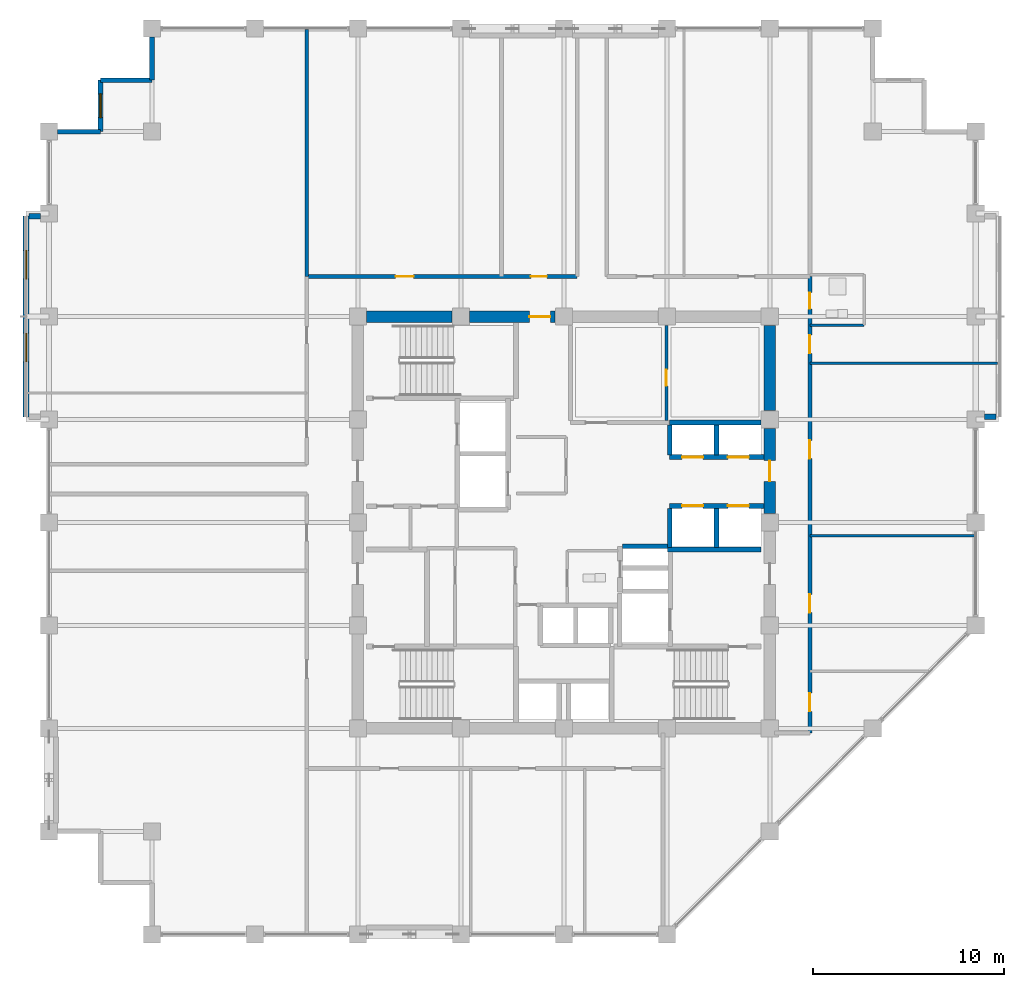
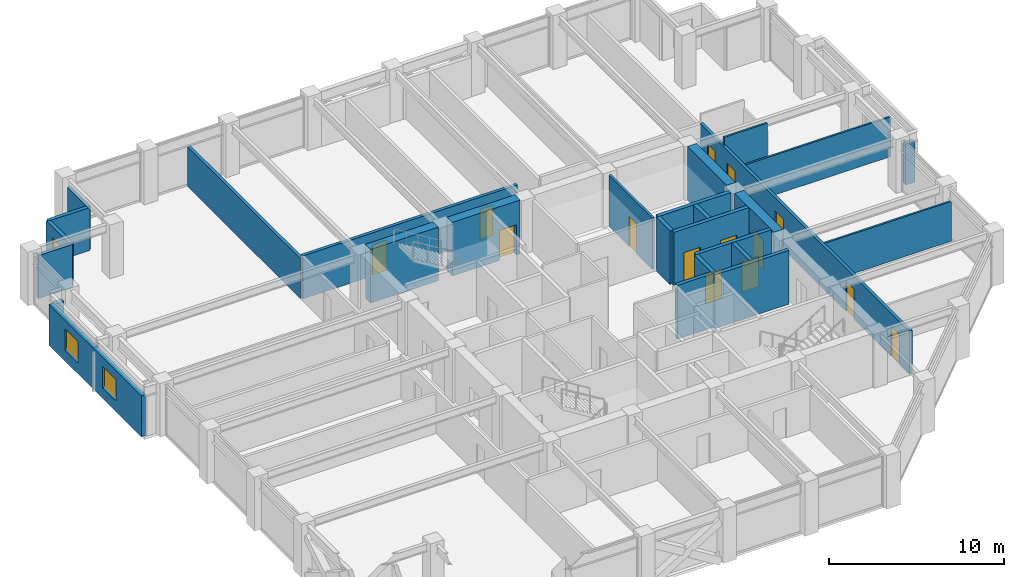
# One storey, part 28 of 32: 27 walls, 14 doors, 3 windows, 17 openings.
"""IFC4 building model written with IfcOpenShell, lengths in metres."""

from ifc_helpers import new_model, si_unit, direction, frame, frame_2d, origin, place, context, subcontext, project, spatial, rectangle, extrude, material, layer, layer_set, type_object, element, fill, save


model = new_model("IFC4")

# Units and contexts
model_context = context("Model", 3, precision=1e-05, world=origin(), true_north=direction((0.0, 1.0)))
body_context = subcontext(model_context, "Body", "Model", "MODEL_VIEW")
ifc_project = project(units=[si_unit("LENGTHUNIT", "METRE"), si_unit("AREAUNIT", "SQUARE_METRE"), si_unit("VOLUMEUNIT", "CUBIC_METRE"), si_unit("PLANEANGLEUNIT", "RADIAN"), si_unit("MASSUNIT", "GRAM", prefix="KILO")], contexts=[model_context])

# Site, building, storey
site_placement = place(None, origin())
site = spatial("IfcSite", under=ifc_project, at=site_placement, CompositionType="ELEMENT")
building_placement = place(site_placement, origin())
building = spatial("IfcBuilding", under=site, at=building_placement, Name="Surkhivell Harbour Commons", CompositionType="ELEMENT")
storey_placement = place(building_placement, frame((0.0, 0.0, 186.0)))
storey = spatial("IfcBuildingStorey", under=building, at=storey_placement, Name="L48", CompositionType="ELEMENT", Elevation=186.0)

# Wall
ifc_material_1 = material(Name="Concrete C60/75", Category="concrete")
ifc_layer_1 = layer(ifc_material_1, 0.60009765625)
ifc_layer_set_1 = layer_set([ifc_layer_1], Name="Concrete C60/75")
wall_type_1 = type_object("IfcWallType", Name="WAL-CORE-600", PredefinedType="SHEAR", material=ifc_layer_set_1)
wall_1_placement = place(storey_placement, frame((-10.340087890625, 10.800048828125, 0.0), z_axis=(0.0, 0.0, 1.0), x_axis=(1.0, 0.0, 0.0)))
element("IfcWall", 1, at=wall_1_placement, inside=storey, type_object=wall_type_1, Name="L48 Core Shear Wall North 1", PredefinedType="SHEAR", context=body_context, shape_type="SweptSolid", body=[
    extrude(rectangle(XDim=4.47998046875, YDim=0.60009765625, at=frame_2d((2.239990234375, 0.0))), origin(), (0.0, 0.0, 1.0), 3.75),
])

# Wall, opening, door
wall_2_placement = place(storey_placement, frame((-4.93994140625, 10.800048828125, 0.0), z_axis=(0.0, 0.0, 1.0), x_axis=(1.0, 0.0, 0.0)))
wall_2 = element("IfcWall", 2, at=wall_2_placement, inside=storey, type_object=wall_type_1, Name="L48 Core Shear Wall North 2", PredefinedType="SHEAR", context=body_context, shape_type="SweptSolid", body=[
    extrude(rectangle(XDim=4.47998046875, YDim=0.60009765625, at=frame_2d((2.239990234375, 0.0))), origin(), (0.0, 0.0, 1.0), 3.75),
])
opening_1_placement = place(wall_2_placement, frame((3.1298828125, 0.0, 0.0)))
opening_1 = element("IfcOpeningElement", 3, at=opening_1_placement, cuts=wall_2, Name="Opening ID-2", PredefinedType="OPENING", context=body_context, shape_type="SweptSolid", body=[
    extrude(rectangle(XDim=1.10009765625, YDim=2.10009765625, at=frame_2d((0.550048828125, 1.050048828125))), frame((0.0, 0.31005859375, 0.0), z_axis=(0.0, -1.0, 0.0), x_axis=(1.0, 0.0, 0.0)), (0.0, 0.0, 1.0), 0.6201171875),
])
ifc_material_2 = material(Name="Hardwood-veneered fire-rated door leaf", Category="wood")
door_type_1 = type_object("IfcDoorType", Name="DOR-FD60-1100", OperationType="NOTDEFINED", PredefinedType="DOOR", material=ifc_material_2)
door_1_placement = place(opening_1_placement, origin())
door_1 = element("IfcDoor", 4, at=door_1_placement, inside=storey, type_object=door_type_1, Name="L48 Central Core Lift Hall North Corridor Door", OperationType="SINGLE_SWING_LEFT", OverallHeight=2.10009765625, OverallWidth=1.10009765625, PredefinedType="DOOR", context=body_context, shape_type="SweptSolid", body=[
    extrude(rectangle(XDim=1.10009765625, YDim=2.10009765625, at=frame_2d((0.550048828125, 1.050048828125))), frame((0.0, 0.02490234375, 0.0), z_axis=(0.0, -1.0, 0.0), x_axis=(1.0, 0.0, 0.0)), (0.0, 0.0, 1.0), 0.050048828125),
])
fill(opening_1, door_1)

wall_3_placement = place(storey_placement, frame((10.800048828125, 0.4599609375, 0.0), z_axis=(0.0, 0.0, 1.0), x_axis=(0.0, 1.0, 0.0)))
wall_3 = element("IfcWall", 5, at=wall_3_placement, inside=storey, type_object=wall_type_1, Name="L48 Core Shear Wall East 3", PredefinedType="SHEAR", context=body_context, shape_type="SweptSolid", body=[
    extrude(rectangle(XDim=4.47998046875, YDim=0.60009765625, at=frame_2d((2.239990234375, 0.0))), origin(), (0.0, 0.0, 1.0), 3.75),
])
opening_2_placement = place(wall_3_placement, frame((1.68994140625, 0.0, 0.0)))
opening_2 = element("IfcOpeningElement", 6, at=opening_2_placement, cuts=wall_3, Name="Opening ID-2", PredefinedType="OPENING", context=body_context, shape_type="SweptSolid", body=[
    extrude(rectangle(XDim=1.10009765625, YDim=2.10009765625, at=frame_2d((0.550048828125, 1.050048828125))), frame((0.0, 0.31005859375, 0.0), z_axis=(0.0, -1.0, 0.0), x_axis=(1.0, 0.0, 0.0)), (0.0, 0.0, 1.0), 0.6201171875),
])
door_2_placement = place(opening_2_placement, origin())
door_2 = element("IfcDoor", 7, at=door_2_placement, inside=storey, type_object=door_type_1, Name="L48 Mid-Rise Lobby East Door", OperationType="SINGLE_SWING_LEFT", OverallHeight=2.10009765625, OverallWidth=1.10009765625, PredefinedType="DOOR", context=body_context, shape_type="SweptSolid", body=[
    extrude(rectangle(XDim=1.10009765625, YDim=2.10009765625, at=frame_2d((0.550048828125, 1.050048828125))), frame((0.0, 0.02490234375, 0.0), z_axis=(0.0, -1.0, 0.0), x_axis=(1.0, 0.0, 0.0)), (0.0, 0.0, 1.0), 0.050048828125),
])
fill(opening_2, door_2)

# Wall
wall_4_placement = place(storey_placement, frame((10.800048828125, 5.860107421875, 0.0), z_axis=(0.0, 0.0, 1.0), x_axis=(0.0, 1.0, 0.0)))
element("IfcWall", 8, at=wall_4_placement, inside=storey, type_object=wall_type_1, Name="L48 Core Shear Wall East 4", PredefinedType="SHEAR", context=body_context, shape_type="SweptSolid", body=[
    extrude(rectangle(XDim=4.47998046875, YDim=0.60009765625, at=frame_2d((2.239990234375, 0.0))), origin(), (0.0, 0.0, 1.0), 3.75),
])

# Wall, openings, windows
ifc_material_3 = material(Name="Flemish-bond kiln brick and precast concrete C45/55", Category="masonry")
ifc_layer_2 = layer(ifc_material_3, 0.300048828125)
ifc_layer_set_2 = layer_set([ifc_layer_2], Name="Flemish-bond kiln brick and precast concrete C45/55")
wall_type_2 = type_object("IfcWallType", Name="WAL-EXT-BRK300", PredefinedType="STANDARD", material=ifc_layer_set_2)
wall_5_placement = place(storey_placement, frame((-28.199951171875, 16.080078125, 0.0), z_axis=(0.0, 0.0, 1.0), x_axis=(0.0, -1.0, 0.0)))
wall_5 = element("IfcWall", 9, at=wall_5_placement, inside=storey, type_object=wall_type_2, Name="L48 Coloured Box Front Wall 02", PredefinedType="STANDARD", context=body_context, shape_type="SweptSolid", body=[
    extrude(rectangle(XDim=10.56005859375, YDim=0.300048828125, at=frame_2d((5.280029296875, 0.0))), origin(), (0.0, 0.0, 1.0), 2.85693359375),
])
opening_3_placement = place(wall_5_placement, frame((1.8173828125, 0.0, 0.75)))
opening_3 = element("IfcOpeningElement", 10, at=opening_3_placement, cuts=wall_5, Name="Opening WN-13", PredefinedType="OPENING", context=body_context, shape_type="SweptSolid", body=[
    extrude(rectangle(XDim=1.5, YDim=1.5, at=frame_2d((0.75, 0.75))), frame((0.0, 0.159912109375, 0.0), z_axis=(0.0, -1.0, 0.0), x_axis=(1.0, 0.0, 0.0)), (0.0, 0.0, 1.0), 0.320068359375),
])
opening_4_placement = place(wall_5_placement, frame((6.152587890625, 0.0, 0.75)))
opening_4 = element("IfcOpeningElement", 11, at=opening_4_placement, cuts=wall_5, Name="Opening WN-13", PredefinedType="OPENING", context=body_context, shape_type="SweptSolid", body=[
    extrude(rectangle(XDim=1.5, YDim=1.5, at=frame_2d((0.75, 0.75))), frame((0.0, 0.159912109375, 0.0), z_axis=(0.0, -1.0, 0.0), x_axis=(1.0, 0.0, 0.0)), (0.0, 0.0, 1.0), 0.320068359375),
])
ifc_material_4 = material(Name="Thermal-break aluminium frame and double low-E glazing", Category="aluminium")
window_type_1 = type_object("IfcWindowType", Name="WIN-BOX-1500x1500", PartitioningType="SINGLE_PANEL", PredefinedType="WINDOW", material=ifc_material_4)
window_1_placement = place(opening_3_placement, origin())
window_1 = element("IfcWindow", 12, at=window_1_placement, inside=storey, type_object=window_type_1, Name="L48 Coloured Box Square Window 02-1", OverallHeight=1.5, OverallWidth=1.5, PartitioningType="SINGLE_PANEL", PredefinedType="WINDOW", context=body_context, shape_type="SweptSolid", body=[
    extrude(rectangle(XDim=1.5, YDim=1.5, at=frame_2d((0.75, 0.75))), frame((0.0, 0.030029296875, 0.0), z_axis=(0.0, -1.0, 0.0), x_axis=(1.0, 0.0, 0.0)), (0.0, 0.0, 1.0), 0.06005859375),
])
fill(opening_3, window_1)
window_2_placement = place(opening_4_placement, origin())
window_2 = element("IfcWindow", 13, at=window_2_placement, inside=storey, type_object=window_type_1, Name="L48 Coloured Box Square Window 02-2", OverallHeight=1.5, OverallWidth=1.5, PartitioningType="SINGLE_PANEL", PredefinedType="WINDOW", context=body_context, shape_type="SweptSolid", body=[
    extrude(rectangle(XDim=1.5, YDim=1.5, at=frame_2d((0.75, 0.75))), frame((0.0, 0.030029296875, 0.0), z_axis=(0.0, -1.0, 0.0), x_axis=(1.0, 0.0, 0.0)), (0.0, 0.0, 1.0), 0.06005859375),
])
fill(opening_4, window_2)

# Walls
wall_6_placement = place(storey_placement, frame((-28.06005859375, 16.06005859375, 0.0), z_axis=(0.0, 0.0, 1.0), x_axis=(1.0, 0.0, 0.0)))
element("IfcWall", 14, at=wall_6_placement, inside=storey, type_object=wall_type_2, Name="L48 Coloured Box Return Wall 02N", PredefinedType="STANDARD", context=body_context, shape_type="SweptSolid", body=[
    extrude(rectangle(XDim=0.60595703125, YDim=0.300048828125, at=frame_2d((0.302978515625, 0.0))), origin(), (0.0, 0.0, 1.0), 2.85693359375),
])
ifc_material_5 = material(Name="Bronze-ochre cassette precast concrete C45/55", Category="concrete")
ifc_layer_3 = layer(ifc_material_5, 0.239990234375)
ifc_layer_set_3 = layer_set([ifc_layer_3], Name="Bronze-ochre cassette precast concrete C45/55")
wall_type_3 = type_object("IfcWallType", Name="WAL-EXT-OCH240", PredefinedType="STANDARD", material=ifc_layer_set_3)
wall_7_placement = place(storey_placement, frame((-21.60009765625, 25.451904296875, 0.0), z_axis=(0.0, 0.0, 1.0), x_axis=(0.0, -1.0, 0.0)))
element("IfcWall", 15, at=wall_7_placement, inside=storey, type_object=wall_type_3, Name="L48 Serrated Corner Facade Wall 08", PredefinedType="STANDARD", context=body_context, shape_type="SweptSolid", body=[
    extrude(rectangle(XDim=2.251953125, YDim=0.239990234375, at=frame_2d((1.1259765625, 0.0))), origin(), (0.0, 0.0, 1.0), 3.006103515625),
])
wall_8_placement = place(storey_placement, frame((-21.60009765625, 23.199951171875, 0.0), z_axis=(0.0, 0.0, 1.0), x_axis=(-1.0, 0.0, 0.0)))
element("IfcWall", 16, at=wall_8_placement, inside=storey, type_object=wall_type_3, Name="L48 Serrated Corner Facade Wall 09", PredefinedType="STANDARD", context=body_context, shape_type="SweptSolid", body=[
    extrude(rectangle(XDim=2.699951171875, YDim=0.239990234375, at=frame_2d((1.35009765625, 0.0))), origin(), (0.0, 0.0, 1.0), 3.006103515625),
])

# Wall, opening, window
wall_9_placement = place(storey_placement, frame((-24.300048828125, 23.199951171875, 0.0), z_axis=(0.0, 0.0, 1.0), x_axis=(0.0, -1.0, 0.0)))
wall_9 = element("IfcWall", 17, at=wall_9_placement, inside=storey, type_object=wall_type_3, Name="L48 Serrated Corner Facade Wall 10", PredefinedType="STANDARD", context=body_context, shape_type="SweptSolid", body=[
    extrude(rectangle(XDim=2.699951171875, YDim=0.239990234375, at=frame_2d((1.35009765625, 0.0))), origin(), (0.0, 0.0, 1.0), 3.006103515625),
])
opening_5_placement = place(wall_9_placement, frame((0.72509765625, 0.0, 0.64990234375)))
opening_5 = element("IfcOpeningElement", 18, at=opening_5_placement, cuts=wall_9, Name="Opening WN-09", PredefinedType="OPENING", context=body_context, shape_type="SweptSolid", body=[
    extrude(rectangle(XDim=1.25, YDim=1.60009765625, at=frame_2d((0.625, 0.800048828125))), frame((0.0, 0.1298828125, 0.0), z_axis=(0.0, -1.0, 0.0), x_axis=(1.0, 0.0, 0.0)), (0.0, 0.0, 1.0), 0.260009765625),
])
window_type_2 = type_object("IfcWindowType", Name="WIN-SER-1250x1600", PartitioningType="SINGLE_PANEL", PredefinedType="WINDOW", material=ifc_material_4)
window_3_placement = place(opening_5_placement, origin())
window_3 = element("IfcWindow", 19, at=window_3_placement, inside=storey, type_object=window_type_2, Name="L48 Serrated Alcove Window 10", OverallHeight=1.60009765625, OverallWidth=1.25, PartitioningType="SINGLE_PANEL", PredefinedType="WINDOW", context=body_context, shape_type="SweptSolid", body=[
    extrude(rectangle(XDim=1.25, YDim=1.60009765625, at=frame_2d((0.625, 0.800048828125))), frame((0.0, 0.030029296875, 0.0), z_axis=(0.0, -1.0, 0.0), x_axis=(1.0, 0.0, 0.0)), (0.0, 0.0, 1.0), 0.06005859375),
])
fill(opening_5, window_3)

# Walls
wall_10_placement = place(storey_placement, frame((-24.300048828125, 20.5, 0.0), z_axis=(0.0, 0.0, 1.0), x_axis=(-1.0, 0.0, 0.0)))
element("IfcWall", 20, at=wall_10_placement, inside=storey, type_object=wall_type_3, Name="L48 Serrated Corner Facade Wall 11", PredefinedType="STANDARD", context=body_context, shape_type="SweptSolid", body=[
    extrude(rectangle(XDim=2.251953125, YDim=0.239990234375, at=frame_2d((1.1259765625, 0.0))), origin(), (0.0, 0.0, 1.0), 3.006103515625),
])
ifc_material_6 = material(Name="Terracotta-clad reinforced concrete C45/55", Category="masonry")
ifc_layer_4 = layer(ifc_material_6, 0.280029296875)
ifc_layer_set_4 = layer_set([ifc_layer_4], Name="Terracotta-clad reinforced concrete C45/55")
wall_type_4 = type_object("IfcWallType", Name="WAL-EXT-TER280", PredefinedType="STANDARD", material=ifc_layer_set_4)
wall_11_placement = place(storey_placement, frame((22.053955078125, 5.5400390625, 0.0), z_axis=(0.0, 0.0, 1.0), x_axis=(1.0, 0.0, 0.0)))
element("IfcWall", 21, at=wall_11_placement, inside=storey, type_object=wall_type_4, Name="L48 Coloured Box Return Wall 01S", PredefinedType="STANDARD", context=body_context, shape_type="SweptSolid", body=[
    extrude(rectangle(XDim=0.60595703125, YDim=0.280029296875, at=frame_2d((0.302978515625, 0.0))), origin(), (0.0, 0.0, 1.0), 2.85693359375),
])
ifc_material_7 = material(Name="Moisture-resistant acoustic stud partition", Category="other")
ifc_layer_5 = layer(ifc_material_7, 0.125)
ifc_layer_set_5 = layer_set([ifc_layer_5], Name="Moisture-resistant acoustic stud partition")
wall_type_5 = type_object("IfcWallType", Name="WAL-INT-125", PredefinedType="PARTITIONING", material=ifc_layer_set_5)
wall_12_placement = place(storey_placement, frame((12.89990234375, -0.68994140625, 0.0), z_axis=(0.0, 0.0, 1.0), x_axis=(1.0, 0.0, 0.0)))
element("IfcWall", 22, at=wall_12_placement, inside=storey, type_object=wall_type_5, Name="L48 East Partition BDP1", PredefinedType="PARTITIONING", context=body_context, shape_type="SweptSolid", body=[
    extrude(rectangle(XDim=8.64013671875, YDim=0.125, at=frame_2d((4.320068359375, 0.0))), origin(), (0.0, 0.0, 1.0), 2.780029296875),
])
wall_13_placement = place(storey_placement, frame((12.89990234375, 10.35009765625, 0.0), z_axis=(0.0, 0.0, 1.0), x_axis=(1.0, 0.0, 0.0)))
element("IfcWall", 23, at=wall_13_placement, inside=storey, type_object=wall_type_5, Name="L48 East Partition BTHS", PredefinedType="PARTITIONING", context=body_context, shape_type="SweptSolid", body=[
    extrude(rectangle(XDim=2.85009765625, YDim=0.125, at=frame_2d((1.425048828125, 0.0))), origin(), (0.0, 0.0, 1.0), 3.570068359375),
])
wall_14_placement = place(storey_placement, frame((12.89990234375, 8.35009765625, 0.0), z_axis=(0.0, 0.0, 1.0), x_axis=(1.0, 0.0, 0.0)))
element("IfcWall", 24, at=wall_14_placement, inside=storey, type_object=wall_type_5, Name="L48 East Partition PTOP", PredefinedType="PARTITIONING", context=body_context, shape_type="SweptSolid", body=[
    extrude(rectangle(XDim=9.840087890625, YDim=0.125, at=frame_2d((4.919921875, 0.0))), origin(), (0.0, 0.0, 1.0), 2.780029296875),
])

# Wall, opening, door
ifc_material_8 = material(Name="Twin-stud acoustic fireboard partition", Category="other")
ifc_layer_6 = layer(ifc_material_8, 0.14990234375)
ifc_layer_set_6 = layer_set([ifc_layer_6], Name="Twin-stud acoustic fireboard partition")
wall_type_6 = type_object("IfcWallType", Name="WAL-INT-150", PredefinedType="PARTITIONING", material=ifc_layer_set_6)
wall_15_placement = place(storey_placement, frame((5.3798828125, 5.360107421875, 0.0), z_axis=(0.0, 0.0, 1.0), x_axis=(0.0, 1.0, 0.0)))
wall_15 = element("IfcWall", 25, at=wall_15_placement, inside=storey, type_object=wall_type_6, Name="L48 Core Library Divider", PredefinedType="PARTITIONING", context=body_context, shape_type="SweptSolid", body=[
    extrude(rectangle(XDim=4.97998046875, YDim=0.14990234375, at=frame_2d((2.489990234375, 0.0))), origin(), (0.0, 0.0, 1.0), 3.570068359375),
])
opening_6_placement = place(wall_15_placement, frame((1.800048828125, 0.0, 0.0)))
opening_6 = element("IfcOpeningElement", 26, at=opening_6_placement, cuts=wall_15, Name="Opening ID-6", PredefinedType="OPENING", context=body_context, shape_type="SweptSolid", body=[
    extrude(rectangle(XDim=0.85009765625, YDim=2.10009765625, at=frame_2d((0.425048828125, 1.050048828125))), frame((0.0, 0.0849609375, 0.0), z_axis=(0.0, -1.0, 0.0), x_axis=(1.0, 0.0, 0.0)), (0.0, 0.0, 1.0), 0.169921875),
])
door_type_2 = type_object("IfcDoorType", Name="DOR-FD30-850", OperationType="NOTDEFINED", PredefinedType="DOOR", material=ifc_material_2)
door_3_placement = place(opening_6_placement, origin())
door_3 = element("IfcDoor", 27, at=door_3_placement, inside=storey, type_object=door_type_2, Name="L48 Core Reading Door", OperationType="SINGLE_SWING_RIGHT", OverallHeight=2.10009765625, OverallWidth=0.85009765625, PredefinedType="DOOR", context=body_context, shape_type="SweptSolid", body=[
    extrude(rectangle(XDim=0.85009765625, YDim=2.10009765625, at=frame_2d((0.425048828125, 1.050048828125))), frame((0.0, 0.02490234375, 0.0), z_axis=(0.0, -1.0, 0.0), x_axis=(1.0, 0.0, 0.0)), (0.0, 0.0, 1.0), 0.050048828125),
])
fill(opening_6, door_3)

# Wall
ifc_material_9 = material(Name="Autoclaved aerated concrete blockwork and fire plaster", Category="masonry")
ifc_layer_7 = layer(ifc_material_9, 0.199951171875)
ifc_layer_set_7 = layer_set([ifc_layer_7], Name="Autoclaved aerated concrete blockwork and fire plaster")
wall_type_7 = type_object("IfcWallType", Name="WAL-INT-200", PredefinedType="PARTITIONING", material=ifc_layer_set_7)
wall_16_placement = place(storey_placement, frame((-13.47998046875, 12.89990234375, 0.0), z_axis=(0.0, 0.0, 1.0), x_axis=(0.0, 1.0, 0.0)))
element("IfcWall", 28, at=wall_16_placement, inside=storey, type_object=wall_type_7, Name="L48 North-West Corner Wall", PredefinedType="PARTITIONING", context=body_context, shape_type="SweptSolid", body=[
    extrude(rectangle(XDim=12.940185546875, YDim=0.199951171875, at=frame_2d((6.47021484375, 0.0))), origin(), (0.0, 0.0, 1.0), 2.780029296875),
])

# Wall, openings, doors
wall_17_placement = place(storey_placement, frame((12.89990234375, -11.0400390625, 0.0), z_axis=(0.0, 0.0, 1.0), x_axis=(0.0, 1.0, 0.0)))
wall_17 = element("IfcWall", 29, at=wall_17_placement, inside=storey, type_object=wall_type_7, Name="L48 Corridor East Wall", PredefinedType="PARTITIONING", context=body_context, shape_type="SweptSolid", body=[
    extrude(rectangle(XDim=23.93994140625, YDim=0.199951171875, at=frame_2d((11.969970703125, 0.0))), origin(), (0.0, 0.0, 1.0), 3.006103515625),
])
opening_7_placement = place(wall_17_placement, frame((1.139892578125, 0.0, 0.0)))
opening_7 = element("IfcOpeningElement", 30, at=opening_7_placement, cuts=wall_17, Name="Opening ID-4", PredefinedType="OPENING", context=body_context, shape_type="SweptSolid", body=[
    extrude(rectangle(XDim=0.949951171875, YDim=2.10009765625, at=frame_2d((0.47509765625, 1.050048828125))), frame((0.0, 0.10986328125, 0.0), z_axis=(0.0, -1.0, 0.0), x_axis=(1.0, 0.0, 0.0)), (0.0, 0.0, 1.0), 0.219970703125),
])
opening_8_placement = place(wall_17_placement, frame((22.2451171875, 0.0, 0.0)))
opening_8 = element("IfcOpeningElement", 31, at=opening_8_placement, cuts=wall_17, Name="Opening ID-6", PredefinedType="OPENING", context=body_context, shape_type="SweptSolid", body=[
    extrude(rectangle(XDim=0.85009765625, YDim=2.10009765625, at=frame_2d((0.425048828125, 1.050048828125))), frame((0.0, 0.10986328125, 0.0), z_axis=(0.0, -1.0, 0.0), x_axis=(1.0, 0.0, 0.0)), (0.0, 0.0, 1.0), 0.219970703125),
])
opening_9_placement = place(wall_17_placement, frame((19.909912109375, 0.0, 0.0)))
opening_9 = element("IfcOpeningElement", 32, at=opening_9_placement, cuts=wall_17, Name="Opening ID-4", PredefinedType="OPENING", context=body_context, shape_type="SweptSolid", body=[
    extrude(rectangle(XDim=0.949951171875, YDim=2.10009765625, at=frame_2d((0.47509765625, 1.050048828125))), frame((0.0, 0.10986328125, 0.0), z_axis=(0.0, -1.0, 0.0), x_axis=(1.0, 0.0, 0.0)), (0.0, 0.0, 1.0), 0.219970703125),
])
opening_10_placement = place(wall_17_placement, frame((6.31494140625, 0.0, 0.0)))
opening_10 = element("IfcOpeningElement", 33, at=opening_10_placement, cuts=wall_17, Name="Opening ID-4", PredefinedType="OPENING", context=body_context, shape_type="SweptSolid", body=[
    extrude(rectangle(XDim=0.949951171875, YDim=2.10009765625, at=frame_2d((0.47509765625, 1.050048828125))), frame((0.0, 0.10986328125, 0.0), z_axis=(0.0, -1.0, 0.0), x_axis=(1.0, 0.0, 0.0)), (0.0, 0.0, 1.0), 0.219970703125),
])
opening_11_placement = place(wall_17_placement, frame((14.389892578125, 0.0, 0.0)))
opening_11 = element("IfcOpeningElement", 34, at=opening_11_placement, cuts=wall_17, Name="Opening ID-4", PredefinedType="OPENING", context=body_context, shape_type="SweptSolid", body=[
    extrude(rectangle(XDim=0.949951171875, YDim=2.10009765625, at=frame_2d((0.47509765625, 1.050048828125))), frame((0.0, 0.10986328125, 0.0), z_axis=(0.0, -1.0, 0.0), x_axis=(1.0, 0.0, 0.0)), (0.0, 0.0, 1.0), 0.219970703125),
])
door_4_placement = place(opening_8_placement, origin())
door_4 = element("IfcDoor", 35, at=door_4_placement, inside=storey, type_object=door_type_2, Name="L48 Communal Shower Bathroom East Door", OperationType="SINGLE_SWING_RIGHT", OverallHeight=2.10009765625, OverallWidth=0.85009765625, PredefinedType="DOOR", context=body_context, shape_type="SweptSolid", body=[
    extrude(rectangle(XDim=0.85009765625, YDim=2.10009765625, at=frame_2d((0.425048828125, 1.050048828125))), frame((0.0, 0.02490234375, 0.0), z_axis=(0.0, -1.0, 0.0), x_axis=(1.0, 0.0, 0.0)), (0.0, 0.0, 1.0), 0.050048828125),
])
fill(opening_8, door_4)
door_type_3 = type_object("IfcDoorType", Name="DOR-FD60-950", OperationType="NOTDEFINED", PredefinedType="DOOR", material=ifc_material_2)
door_5_placement = place(opening_7_placement, origin())
door_5 = element("IfcDoor", 36, at=door_5_placement, inside=storey, type_object=door_type_3, Name="L48 Shared Communal Kitchen East Door", OperationType="SINGLE_SWING_LEFT", OverallHeight=2.10009765625, OverallWidth=0.949951171875, PredefinedType="DOOR", context=body_context, shape_type="SweptSolid", body=[
    extrude(rectangle(XDim=0.949951171875, YDim=2.10009765625, at=frame_2d((0.47509765625, 1.050048828125))), frame((0.0, 0.02490234375, 0.0), z_axis=(0.0, -1.0, 0.0), x_axis=(1.0, 0.0, 0.0)), (0.0, 0.0, 1.0), 0.050048828125),
])
fill(opening_7, door_5)
door_6_placement = place(opening_9_placement, origin())
door_6 = element("IfcDoor", 37, at=door_6_placement, inside=storey, type_object=door_type_3, Name="L48 Academic Reading Commons East Door", OperationType="SINGLE_SWING_LEFT", OverallHeight=2.10009765625, OverallWidth=0.949951171875, PredefinedType="DOOR", context=body_context, shape_type="SweptSolid", body=[
    extrude(rectangle(XDim=0.949951171875, YDim=2.10009765625, at=frame_2d((0.47509765625, 1.050048828125))), frame((0.0, 0.02490234375, 0.0), z_axis=(0.0, -1.0, 0.0), x_axis=(1.0, 0.0, 0.0)), (0.0, 0.0, 1.0), 0.050048828125),
])
fill(opening_9, door_6)
door_7_placement = place(opening_10_placement, origin())
door_7 = element("IfcDoor", 38, at=door_7_placement, inside=storey, type_object=door_type_3, Name="L48 Hostel Cluster Bedroom 1 East Door", OperationType="SINGLE_SWING_RIGHT", OverallHeight=2.10009765625, OverallWidth=0.949951171875, PredefinedType="DOOR", context=body_context, shape_type="SweptSolid", body=[
    extrude(rectangle(XDim=0.949951171875, YDim=2.10009765625, at=frame_2d((0.47509765625, 1.050048828125))), frame((0.0, 0.02490234375, 0.0), z_axis=(0.0, -1.0, 0.0), x_axis=(1.0, 0.0, 0.0)), (0.0, 0.0, 1.0), 0.050048828125),
])
fill(opening_10, door_7)
door_8_placement = place(opening_11_placement, origin())
door_8 = element("IfcDoor", 39, at=door_8_placement, inside=storey, type_object=door_type_3, Name="L48 Co-Living Dormitory Bedroom 2 East Door", OperationType="SINGLE_SWING_LEFT", OverallHeight=2.10009765625, OverallWidth=0.949951171875, PredefinedType="DOOR", context=body_context, shape_type="SweptSolid", body=[
    extrude(rectangle(XDim=0.949951171875, YDim=2.10009765625, at=frame_2d((0.47509765625, 1.050048828125))), frame((0.0, 0.02490234375, 0.0), z_axis=(0.0, -1.0, 0.0), x_axis=(1.0, 0.0, 0.0)), (0.0, 0.0, 1.0), 0.050048828125),
])
fill(opening_11, door_8)

wall_18_placement = place(storey_placement, frame((-13.47998046875, 12.89990234375, 0.0), z_axis=(0.0, 0.0, 1.0), x_axis=(1.0, 0.0, 0.0)))
wall_18 = element("IfcWall", 40, at=wall_18_placement, inside=storey, type_object=wall_type_7, Name="L48 Corridor North-West Wall", PredefinedType="PARTITIONING", context=body_context, shape_type="SweptSolid", body=[
    extrude(rectangle(XDim=14.179931640625, YDim=0.199951171875, at=frame_2d((7.08984375, 0.0))), origin(), (0.0, 0.0, 1.0), 3.006103515625),
])
opening_12_placement = place(wall_18_placement, frame((4.655029296875, 0.0, 0.0)))
opening_12 = element("IfcOpeningElement", 41, at=opening_12_placement, cuts=wall_18, Name="Opening ID-4", PredefinedType="OPENING", context=body_context, shape_type="SweptSolid", body=[
    extrude(rectangle(XDim=0.949951171875, YDim=2.10009765625, at=frame_2d((0.47509765625, 1.050048828125))), frame((0.0, 0.10986328125, 0.0), z_axis=(0.0, -1.0, 0.0), x_axis=(1.0, 0.0, 0.0)), (0.0, 0.0, 1.0), 0.219970703125),
])
opening_13_placement = place(wall_18_placement, frame((11.7451171875, 0.0, 0.0)))
opening_13 = element("IfcOpeningElement", 42, at=opening_13_placement, cuts=wall_18, Name="Opening ID-6", PredefinedType="OPENING", context=body_context, shape_type="SweptSolid", body=[
    extrude(rectangle(XDim=0.85009765625, YDim=2.10009765625, at=frame_2d((0.425048828125, 1.050048828125))), frame((0.0, 0.10986328125, 0.0), z_axis=(0.0, -1.0, 0.0), x_axis=(1.0, 0.0, 0.0)), (0.0, 0.0, 1.0), 0.219970703125),
])
door_9_placement = place(opening_13_placement, origin())
door_9 = element("IfcDoor", 43, at=door_9_placement, inside=storey, type_object=door_type_2, Name="L48 Resident Advisory Reception Desk North-West Door", OperationType="SINGLE_SWING_RIGHT", OverallHeight=2.10009765625, OverallWidth=0.85009765625, PredefinedType="DOOR", context=body_context, shape_type="SweptSolid", body=[
    extrude(rectangle(XDim=0.85009765625, YDim=2.10009765625, at=frame_2d((0.425048828125, 1.050048828125))), frame((0.0, 0.02490234375, 0.0), z_axis=(0.0, -1.0, 0.0), x_axis=(1.0, 0.0, 0.0)), (0.0, 0.0, 1.0), 0.050048828125),
])
fill(opening_13, door_9)
door_10_placement = place(opening_12_placement, origin())
door_10 = element("IfcDoor", 44, at=door_10_placement, inside=storey, type_object=door_type_3, Name="L48 Zone Concierge Reception Foyer North-West Door", OperationType="SINGLE_SWING_LEFT", OverallHeight=2.10009765625, OverallWidth=0.949951171875, PredefinedType="DOOR", context=body_context, shape_type="SweptSolid", body=[
    extrude(rectangle(XDim=0.949951171875, YDim=2.10009765625, at=frame_2d((0.47509765625, 1.050048828125))), frame((0.0, 0.02490234375, 0.0), z_axis=(0.0, -1.0, 0.0), x_axis=(1.0, 0.0, 0.0)), (0.0, 0.0, 1.0), 0.050048828125),
])
fill(opening_12, door_10)

# Walls
ifc_material_10 = material(Name="Concrete C50/60", Category="concrete")
ifc_layer_8 = layer(ifc_material_10, 0.25)
ifc_layer_set_8 = layer_set([ifc_layer_8], Name="Concrete C50/60")
wall_type_8 = type_object("IfcWallType", Name="WAL-SHAFT-250", PredefinedType="SHEAR", material=ifc_layer_set_8)
wall_19_placement = place(storey_placement, frame((5.43994140625, -1.419921875, 0.0), z_axis=(0.0, 0.0, 1.0), x_axis=(1.0, 0.0, 0.0)))
element("IfcWall", 45, at=wall_19_placement, inside=storey, type_object=wall_type_8, Name="L48 Firefighting Lobby 2 North Wall", PredefinedType="SHEAR", context=body_context, shape_type="SweptSolid", body=[
    extrude(rectangle(XDim=4.900146484375, YDim=0.25, at=frame_2d((2.4501953125, 0.0))), origin(), (0.0, 0.0, 1.0), 3.75),
])
for number, where, z_axis, x_axis, name in (
    (46, (5.550048828125, 3.550048828125, 0.0), (0.0, 0.0, 1.0), (0.0, 1.0, 0.0), "L48 Mid-Rise Shaft Side Wall N"),
    (47, (8.0, 3.550048828125, 0.0), (0.0, 0.0, 1.0), (0.0, 1.0, 0.0), "L48 Mid-Rise Shaft Side Wall N"),
):
    element("IfcWall", number, at=place(storey_placement, frame(where, z_axis=z_axis, x_axis=x_axis)), inside=storey, type_object=wall_type_8, Name=name, PredefinedType="SHEAR", context=body_context, shape_type="SweptSolid", body=[
        extrude(rectangle(XDim=1.570068359375, YDim=0.25, at=frame_2d((0.78515625, 0.0))), origin(), (0.0, 0.0, 1.0), 3.75),
    ])
for number, where, z_axis, x_axis, name in (
    (48, (5.550048828125, -1.300048828125, 0.0), (0.0, 0.0, 1.0), (0.0, 1.0, 0.0), "L48 Mid-Rise Shaft Side Wall S"),
    (49, (8.0, -1.300048828125, 0.0), (0.0, 0.0, 1.0), (0.0, 1.0, 0.0), "L48 Mid-Rise Shaft Side Wall S"),
):
    element("IfcWall", number, at=place(storey_placement, frame(where, z_axis=z_axis, x_axis=x_axis)), inside=storey, type_object=wall_type_8, Name=name, PredefinedType="SHEAR", context=body_context, shape_type="SweptSolid", body=[
        extrude(rectangle(XDim=2.0400390625, YDim=0.25, at=frame_2d((1.02001953125, 0.0))), origin(), (0.0, 0.0, 1.0), 3.75),
    ])

# Wall, openings, doors
wall_20_placement = place(storey_placement, frame((5.550048828125, 3.429931640625, 0.0), z_axis=(0.0, 0.0, 1.0), x_axis=(1.0, 0.0, 0.0)))
wall_20 = element("IfcWall", 50, at=wall_20_placement, inside=storey, type_object=wall_type_8, Name="L48 Mid-Rise North Front Shaft Wall", PredefinedType="SHEAR", context=body_context, shape_type="SweptSolid", body=[
    extrude(rectangle(XDim=4.949951171875, YDim=0.25, at=frame_2d((2.47509765625, 0.0))), origin(), (0.0, 0.0, 1.0), 3.75),
])
opening_14_placement = place(wall_20_placement, frame((0.64990234375, 0.0, 0.0)))
opening_14 = element("IfcOpeningElement", 51, at=opening_14_placement, cuts=wall_20, Name="Opening LD-1", PredefinedType="OPENING", context=body_context, shape_type="SweptSolid", body=[
    extrude(rectangle(XDim=1.10009765625, YDim=2.10009765625, at=frame_2d((0.550048828125, 1.050048828125))), frame((0.0, 0.135009765625, 0.0), z_axis=(0.0, -1.0, 0.0), x_axis=(1.0, 0.0, 0.0)), (0.0, 0.0, 1.0), 0.27001953125),
])
opening_15_placement = place(wall_20_placement, frame((3.050048828125, 0.0, 0.0)))
opening_15 = element("IfcOpeningElement", 52, at=opening_15_placement, cuts=wall_20, Name="Opening LD-1", PredefinedType="OPENING", context=body_context, shape_type="SweptSolid", body=[
    extrude(rectangle(XDim=1.10009765625, YDim=2.10009765625, at=frame_2d((0.550048828125, 1.050048828125))), frame((0.0, 0.135009765625, 0.0), z_axis=(0.0, -1.0, 0.0), x_axis=(1.0, 0.0, 0.0)), (0.0, 0.0, 1.0), 0.27001953125),
])
ifc_material_11 = material(Name="Brushed stainless steel S355", Category="steel")
door_type_4 = type_object("IfcDoorType", Name="DOR-LD-1100", OperationType="SLIDING_TO_LEFT", PredefinedType="DOOR", material=ifc_material_11)
door_11_placement = place(opening_14_placement, origin())
door_11 = element("IfcDoor", 53, at=door_11_placement, inside=storey, type_object=door_type_4, Name="L48 Lift Landing Door LD-PM1", OperationType="SLIDING_TO_RIGHT", OverallHeight=2.10009765625, OverallWidth=1.10009765625, PredefinedType="DOOR", context=body_context, shape_type="SweptSolid", body=[
    extrude(rectangle(XDim=1.10009765625, YDim=2.10009765625, at=frame_2d((0.550048828125, 1.050048828125))), frame((0.0, 0.02490234375, 0.0), z_axis=(0.0, -1.0, 0.0), x_axis=(1.0, 0.0, 0.0)), (0.0, 0.0, 1.0), 0.050048828125),
])
fill(opening_14, door_11)
door_12_placement = place(opening_15_placement, origin())
door_12 = element("IfcDoor", 54, at=door_12_placement, inside=storey, type_object=door_type_4, Name="L48 Lift Landing Door LD-PM2", OperationType="SLIDING_TO_RIGHT", OverallHeight=2.10009765625, OverallWidth=1.10009765625, PredefinedType="DOOR", context=body_context, shape_type="SweptSolid", body=[
    extrude(rectangle(XDim=1.10009765625, YDim=2.10009765625, at=frame_2d((0.550048828125, 1.050048828125))), frame((0.0, 0.02490234375, 0.0), z_axis=(0.0, -1.0, 0.0), x_axis=(1.0, 0.0, 0.0)), (0.0, 0.0, 1.0), 0.050048828125),
])
fill(opening_15, door_12)

# Wall
wall_21_placement = place(storey_placement, frame((5.550048828125, 5.239990234375, 0.0), z_axis=(0.0, 0.0, 1.0), x_axis=(1.0, 0.0, 0.0)))
element("IfcWall", 55, at=wall_21_placement, inside=storey, type_object=wall_type_8, Name="L48 Mid-Rise North Back Shaft Wall", PredefinedType="SHEAR", context=body_context, shape_type="SweptSolid", body=[
    extrude(rectangle(XDim=4.800048828125, YDim=0.25, at=frame_2d((2.39990234375, 0.0))), origin(), (0.0, 0.0, 1.0), 3.75),
])

# Wall, openings, doors
wall_22_placement = place(storey_placement, frame((5.550048828125, 0.8701171875, 0.0), z_axis=(0.0, 0.0, 1.0), x_axis=(1.0, 0.0, 0.0)))
wall_22 = element("IfcWall", 56, at=wall_22_placement, inside=storey, type_object=wall_type_8, Name="L48 Mid-Rise South Front Shaft Wall", PredefinedType="SHEAR", context=body_context, shape_type="SweptSolid", body=[
    extrude(rectangle(XDim=4.949951171875, YDim=0.25, at=frame_2d((2.47509765625, 0.0))), origin(), (0.0, 0.0, 1.0), 3.75),
])
opening_16_placement = place(wall_22_placement, frame((0.64990234375, 0.0, 0.0)))
opening_16 = element("IfcOpeningElement", 57, at=opening_16_placement, cuts=wall_22, Name="Opening LD-1", PredefinedType="OPENING", context=body_context, shape_type="SweptSolid", body=[
    extrude(rectangle(XDim=1.10009765625, YDim=2.10009765625, at=frame_2d((0.550048828125, 1.050048828125))), frame((0.0, 0.135009765625, 0.0), z_axis=(0.0, -1.0, 0.0), x_axis=(1.0, 0.0, 0.0)), (0.0, 0.0, 1.0), 0.27001953125),
])
opening_17_placement = place(wall_22_placement, frame((3.050048828125, 0.0, 0.0)))
opening_17 = element("IfcOpeningElement", 58, at=opening_17_placement, cuts=wall_22, Name="Opening LD-1", PredefinedType="OPENING", context=body_context, shape_type="SweptSolid", body=[
    extrude(rectangle(XDim=1.10009765625, YDim=2.10009765625, at=frame_2d((0.550048828125, 1.050048828125))), frame((0.0, 0.135009765625, 0.0), z_axis=(0.0, -1.0, 0.0), x_axis=(1.0, 0.0, 0.0)), (0.0, 0.0, 1.0), 0.27001953125),
])
door_13_placement = place(opening_16_placement, origin())
door_13 = element("IfcDoor", 59, at=door_13_placement, inside=storey, type_object=door_type_4, Name="L48 Lift Landing Door LD-PM3", OperationType="SLIDING_TO_RIGHT", OverallHeight=2.10009765625, OverallWidth=1.10009765625, PredefinedType="DOOR", context=body_context, shape_type="SweptSolid", body=[
    extrude(rectangle(XDim=1.10009765625, YDim=2.10009765625, at=frame_2d((0.550048828125, 1.050048828125))), frame((0.0, 0.02490234375, 0.0), z_axis=(0.0, -1.0, 0.0), x_axis=(1.0, 0.0, 0.0)), (0.0, 0.0, 1.0), 0.050048828125),
])
fill(opening_16, door_13)
door_14_placement = place(opening_17_placement, origin())
door_14 = element("IfcDoor", 60, at=door_14_placement, inside=storey, type_object=door_type_4, Name="L48 Lift Landing Door LD-PM4", OperationType="SLIDING_TO_RIGHT", OverallHeight=2.10009765625, OverallWidth=1.10009765625, PredefinedType="DOOR", context=body_context, shape_type="SweptSolid", body=[
    extrude(rectangle(XDim=1.10009765625, YDim=2.10009765625, at=frame_2d((0.550048828125, 1.050048828125))), frame((0.0, 0.02490234375, 0.0), z_axis=(0.0, -1.0, 0.0), x_axis=(1.0, 0.0, 0.0)), (0.0, 0.0, 1.0), 0.050048828125),
])
fill(opening_17, door_14)

# Wall
wall_23_placement = place(storey_placement, frame((3.080078125, -1.25, 0.0), z_axis=(0.0, 0.0, 1.0), x_axis=(1.0, 0.0, 0.0)))
element("IfcWall", 61, at=wall_23_placement, inside=storey, type_object=wall_type_8, Name="L48 Riser North Wall", PredefinedType="SHEAR", context=body_context, shape_type="SweptSolid", body=[
    extrude(rectangle(XDim=2.369873046875, YDim=0.25, at=frame_2d((1.18505859375, 0.0))), origin(), (0.0, 0.0, 1.0), 3.75),
])

save(model, "model.ifc")
